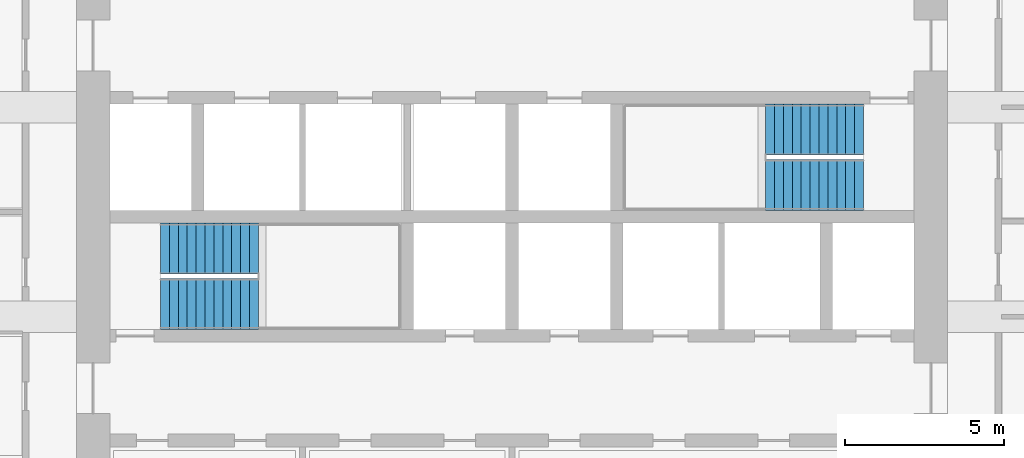
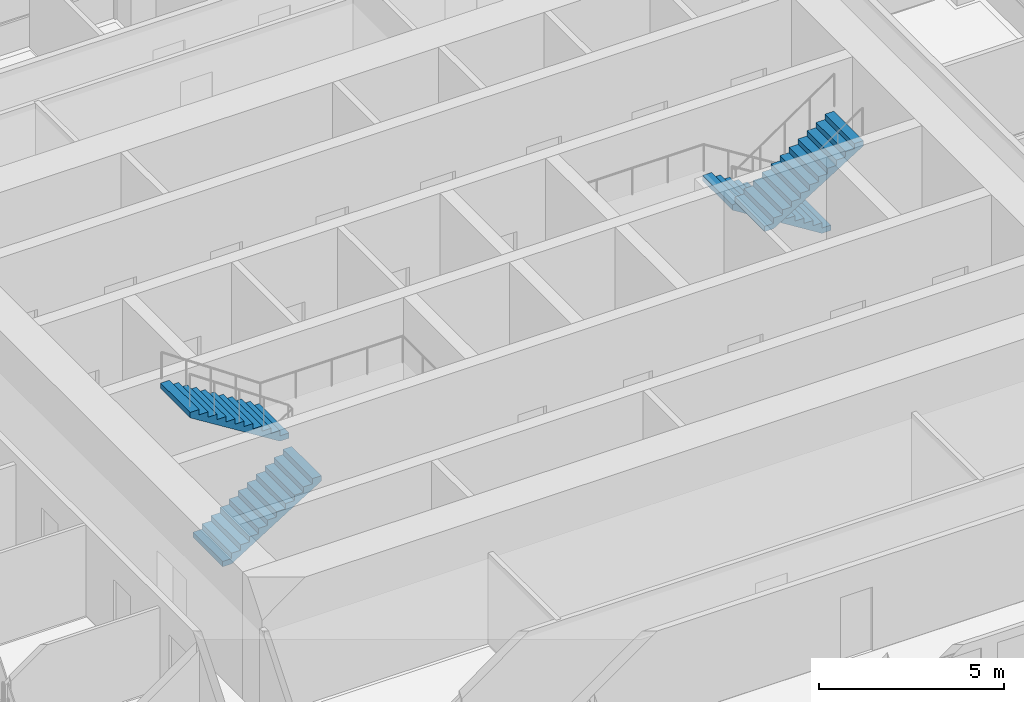
# One storey, part 17 of 21: 4 stair flights, 2 elements without a shape of their own.
"""IFC4 building model written with IfcOpenShell, lengths in metres."""

import ifcopenshell
import ifcopenshell.guid

model = None  # the IFC model being written
_history = None  # IfcOwnerHistory: only IFC2X3 demands one
_inside = {}  # id of a spatial element -> (the spatial element, [elements in it])
_under = {}  # id of a project, library or spatial element -> (it, [spatial elements below it])
_declared = {}  # id of a project -> (the project, [libraries it declares])
_typed = {}  # id of a type object -> (the type object, [elements of that type])
_made_of = {}  # id of a material, layer set ... -> (it, [elements and type objects made of it])


def new_model(schema):
    """Start an empty IFC model of exactly this schema.

    Asked for "IFC4X3", IfcOpenShell would pick the latest addendum, in which some entities
    have other attributes; the version numbers below select the first issue.
    IFC2X3 requires an IfcOwnerHistory on every rooted entity: one is made here for all.
    """
    global model, _history
    if schema == "IFC4X3":
        model = ifcopenshell.file(schema_version=(4, 3, 0, 0))
    else:
        model = ifcopenshell.file(schema=schema)
    _inside.clear()
    _under.clear()
    _declared.clear()
    _typed.clear()
    _made_of.clear()
    _history = None
    if model.schema == "IFC2X3":
        org = make("IfcOrganization", Name="unknown")
        user = make(
            "IfcPersonAndOrganization",
            ThePerson=make("IfcPerson", FamilyName="unknown"),
            TheOrganization=org,
        )
        app = make(
            "IfcApplication",
            ApplicationDeveloper=org,
            Version="unknown",
            ApplicationFullName="unknown",
            ApplicationIdentifier="unknown",
        )
        _history = make(
            "IfcOwnerHistory",
            OwningUser=user,
            OwningApplication=app,
            ChangeAction="ADDED",
            CreationDate=0,
        )
    return model


def make(cls, **values):
    """One entity of the class cls with the attributes given. An attribute that is None is left unset."""
    return model.create_entity(
        cls, **{name: value for name, value in values.items() if value is not None}
    )


def rooted(cls, **values):
    """An entity with a GlobalId (a new one), such as an element, a storey or a relation."""
    return make(cls, GlobalId=ifcopenshell.guid.new(), OwnerHistory=_history, **values)


def si_unit(unit_type, name, prefix=None):
    """IfcSIUnit, for example si_unit("LENGTHUNIT", "METRE", prefix="MILLI")."""
    return make("IfcSIUnit", UnitType=unit_type, Prefix=prefix, Name=name)


def assignment(units):
    """IfcUnitAssignment: the units of a project."""
    return None if units is None else make("IfcUnitAssignment", Units=units)


def point(xyz):
    """IfcCartesianPoint."""
    return None if xyz is None else make("IfcCartesianPoint", Coordinates=xyz)


def direction(xyz):
    """IfcDirection."""
    return None if xyz is None else make("IfcDirection", DirectionRatios=xyz)


def frame(location, z_axis=None, x_axis=None):
    """IfcAxis2Placement3D, a coordinate frame: its origin and axes. An axis left out is left unset."""
    return make(
        "IfcAxis2Placement3D",
        Location=point(location),
        Axis=direction(z_axis),
        RefDirection=direction(x_axis),
    )


def origin():
    """The frame at (0, 0, 0) with its axes left unset."""
    return frame((0.0, 0.0, 0.0))


def place(relative_to, where):
    """IfcLocalPlacement: puts the frame where relative to a parent placement (None: the world)."""
    return make(
        "IfcLocalPlacement", PlacementRelTo=relative_to, RelativePlacement=where
    )


def context(
    kind, dimensions, precision=None, world=None, true_north=None, identifier=None
):
    """IfcGeometricRepresentationContext, for example the 3D "Model" context."""
    return make(
        "IfcGeometricRepresentationContext",
        ContextIdentifier=identifier,
        ContextType=kind,
        CoordinateSpaceDimension=dimensions,
        Precision=precision,
        WorldCoordinateSystem=world,
        TrueNorth=true_north,
    )


def subcontext(parent, identifier, kind, view, scale=None):
    """IfcGeometricRepresentationSubContext, for example "Body" below "Model"."""
    return make(
        "IfcGeometricRepresentationSubContext",
        ContextIdentifier=identifier,
        ContextType=kind,
        ParentContext=parent,
        TargetScale=scale,
        TargetView=view,
    )


def project(units=None, contexts=None):
    """IfcProject with its units and contexts."""
    return rooted(
        "IfcProject",
        Name="project",
        RepresentationContexts=contexts,
        UnitsInContext=assignment(units),
    )


def spatial(cls, under=None, at=None, **own):
    """A site, building, storey or space (cls), placed at a placement, below another one or the project."""
    s = rooted(cls, ObjectPlacement=at, **own)
    if under is not None:
        _under.setdefault(under.id(), (under, []))[1].append(s)
    return s


def polyline(points):
    """IfcPolyline through the points."""
    return make("IfcPolyline", Points=[point(p) for p in points])


def outline(outer, holes=None, kind="AREA"):
    """IfcArbitraryClosedProfileDef: a profile drawn as a closed curve; with holes, ...WithVoids."""
    if holes is None:
        return make("IfcArbitraryClosedProfileDef", ProfileType=kind, OuterCurve=outer)
    return make(
        "IfcArbitraryProfileDefWithVoids",
        ProfileType=kind,
        OuterCurve=outer,
        InnerCurves=holes,
    )


def extrude(swept, where, along, depth):
    """IfcExtrudedAreaSolid: the profile swept, set in the frame where, extruded along a direction by depth."""
    return make(
        "IfcExtrudedAreaSolid",
        SweptArea=swept,
        Position=where,
        ExtrudedDirection=direction(along),
        Depth=depth,
    )


def shape(context_of_items, identifier, shape_type, items):
    """IfcShapeRepresentation: the items that make up one representation, for example the "Body"."""
    return make(
        "IfcShapeRepresentation",
        ContextOfItems=context_of_items,
        RepresentationIdentifier=identifier,
        RepresentationType=shape_type,
        Items=items,
    )


def material(Name=None, Category=None):
    """IfcMaterial."""
    return make("IfcMaterial", Name=Name, Category=Category)


def made_of(thing, what):
    """Note that an element or type object is made of a material, layer set ...; save() writes the relation."""
    if what is not None:
        _made_of.setdefault(what.id(), (what, []))[1].append(thing)
    return thing


def type_object(cls, material=None, **own):
    """A type object (cls), such as IfcWallType, which elements share."""
    return made_of(rooted(cls, **own), material)


def element(
    cls,
    number,
    at=None,
    inside=None,
    cuts=None,
    type_object=None,
    material=None,
    context=None,
    identifier="Body",
    shape_type=None,
    held_by="IfcProductDefinitionShape",
    body=None,
    shapes=None,
    **own,
):
    """One element of the class cls, such as IfcWall. Its Tag is "e" and its number.

    at: its placement. inside: the storey or other place that contains it. cuts: it is an
    opening in that element (IfcRelVoidsElement). A single representation is given by context,
    identifier, shape_type and body (its items); several are given by shapes. held_by: the class
    of the entity that holds the representations. save() writes the other relations.
    """
    e = rooted(cls, Tag="e%d" % number, ObjectPlacement=at, **own)
    if body is not None:
        shapes = [shape(context, identifier, shape_type, body)]
    if shapes is not None:
        e.Representation = make(held_by, Representations=shapes)
    if inside is not None:
        _inside.setdefault(inside.id(), (inside, []))[1].append(e)
    if cuts is not None:
        rooted(
            "IfcRelVoidsElement", RelatingBuildingElement=cuts, RelatedOpeningElement=e
        )
    if type_object is not None:
        _typed.setdefault(type_object.id(), (type_object, []))[1].append(e)
    return made_of(e, material)


def aggregate(whole, parts):
    """IfcRelAggregates: a whole, such as a stair, and the parts it consists of."""
    return rooted("IfcRelAggregates", RelatingObject=whole, RelatedObjects=parts)


def save(model, path):
    """Write the relations noted so far, then the file.

    IfcRelAggregates (storeys below a building ...), IfcRelContainedInSpatialStructure (elements
    in a storey), IfcRelDefinesByType, IfcRelAssociatesMaterial and IfcRelDeclares: one each for
    every whole, place, type object, material and project.
    """
    for whole, parts in _under.values():
        aggregate(whole, parts)
    for where, things in _inside.values():
        rooted(
            "IfcRelContainedInSpatialStructure",
            RelatedElements=things,
            RelatingStructure=where,
        )
    for kind, things in _typed.values():
        rooted("IfcRelDefinesByType", RelatedObjects=things, RelatingType=kind)
    for what, things in _made_of.values():
        rooted("IfcRelAssociatesMaterial", RelatedObjects=things, RelatingMaterial=what)
    for by, libraries in _declared.values():
        rooted("IfcRelDeclares", RelatingContext=by, RelatedDefinitions=libraries)
    model.write(path)


model = new_model("IFC4")

# Units and contexts
model_context = context("Model", 3, precision=1e-05, world=origin(), true_north=direction((0.0, 1.0)))
body_context = subcontext(model_context, "Body", "Model", "MODEL_VIEW")
ifc_project = project(units=[si_unit("LENGTHUNIT", "METRE"), si_unit("AREAUNIT", "SQUARE_METRE"), si_unit("VOLUMEUNIT", "CUBIC_METRE"), si_unit("PLANEANGLEUNIT", "RADIAN"), si_unit("MASSUNIT", "GRAM", prefix="KILO")], contexts=[model_context])

# Site, building, storey
site_placement = place(None, origin())
site = spatial("IfcSite", under=ifc_project, at=site_placement, CompositionType="ELEMENT")
building_placement = place(site_placement, origin())
building = spatial("IfcBuilding", under=site, at=building_placement, Name="Cobogo Forest Laboratory Tower", CompositionType="ELEMENT")
storey_placement = place(building_placement, frame((0.0, 0.0, 241.800048828125)))
storey = spatial("IfcBuildingStorey", under=building, at=storey_placement, Name="L55", CompositionType="ELEMENT", Elevation=241.800048828125)

# Stair, stair flights
ifc_material = material(Name="Precast concrete HA-40 (C40/50)", Category="concrete")
stair_type = type_object("IfcStairType", Name="ST24 exit stair 24 risers", PredefinedType="HALF_TURN_STAIR", material=ifc_material)
stair_1_placement = place(storey_placement, origin())
stair_1 = element("IfcStair", 1, at=stair_1_placement, inside=storey, type_object=stair_type, Name="Stair 1 L55 to L56", PredefinedType="HALF_TURN_STAIR")
stair_flight_type = type_object("IfcStairFlightType", Name="ST stair flight 280 going", PredefinedType="STRAIGHT", material=ifc_material)
stair_flight_1_placement = place(storey_placement, frame((15.324951171875, 20.199951171875, 0.0), z_axis=(0.0, 0.0, 1.0), x_axis=(1.0, 0.0, 0.0)))
stair_flight_1 = element("IfcStairFlight", 2, at=stair_flight_1_placement, type_object=stair_flight_type, Name="ST1 flight 1", NumberOfRisers=12, NumberOfTreads=11, PredefinedType="STRAIGHT", RiserHeight=0.175, TreadLength=0.28, context=body_context, shape_type="SweptSolid", body=[
    extrude(outline(polyline([(0.0, 0.0), (0.0, 0.175048828125), (0.280029296875, 0.175048828125), (0.280029296875, 0.35009765625), (0.56005859375, 0.35009765625), (0.56005859375, 0.52490234375), (0.840087890625, 0.52490234375), (0.840087890625, 0.699951171875), (1.1201171875, 0.699951171875), (1.1201171875, 0.875), (1.39990234375, 0.875), (1.39990234375, 1.050048828125), (1.679931640625, 1.050048828125), (1.679931640625, 1.22509765625), (1.9599609375, 1.22509765625), (1.9599609375, 1.39990234375), (2.239990234375, 1.39990234375), (2.239990234375, 1.574951171875), (2.52001953125, 1.574951171875), (2.52001953125, 1.75), (2.800048828125, 1.75), (2.800048828125, 1.925048828125), (3.080078125, 1.925048828125), (3.080078125, 2.10009765625), (3.080078125, 1.748291015625), (0.28271484375, 0.0), (0.0, 0.0)])), frame((0.0, 0.800048828125, 0.0), z_axis=(0.0, -1.0, 0.0), x_axis=(1.0, 0.0, 0.0)), (0.0, 0.0, 1.0), 1.60009765625),
])
stair_flight_2_placement = place(storey_placement, frame((18.405029296875, 21.949951171875, 2.099853515625), z_axis=(0.0, 0.0, 1.0), x_axis=(-1.0, 0.0, 0.0)))
stair_flight_2 = element("IfcStairFlight", 3, at=stair_flight_2_placement, type_object=stair_flight_type, Name="ST1 flight 2", NumberOfRisers=12, NumberOfTreads=11, PredefinedType="STRAIGHT", RiserHeight=0.175, TreadLength=0.28, context=body_context, shape_type="SweptSolid", body=[
    extrude(outline(polyline([(0.0, 0.0), (0.0, 0.175048828125), (0.280029296875, 0.175048828125), (0.280029296875, 0.35009765625), (0.56005859375, 0.35009765625), (0.56005859375, 0.52490234375), (0.840087890625, 0.52490234375), (0.840087890625, 0.699951171875), (1.1201171875, 0.699951171875), (1.1201171875, 0.875), (1.39990234375, 0.875), (1.39990234375, 1.050048828125), (1.679931640625, 1.050048828125), (1.679931640625, 1.22509765625), (1.9599609375, 1.22509765625), (1.9599609375, 1.39990234375), (2.239990234375, 1.39990234375), (2.239990234375, 1.574951171875), (2.52001953125, 1.574951171875), (2.52001953125, 1.75), (2.800048828125, 1.75), (2.800048828125, 1.925048828125), (3.080078125, 1.925048828125), (3.080078125, 2.10009765625), (3.080078125, 1.748291015625), (0.28271484375, 0.0), (0.0, 0.0)])), frame((0.0, 0.800048828125, 0.0), z_axis=(0.0, -1.0, 0.0), x_axis=(1.0, 0.0, 0.0)), (0.0, 0.0, 1.0), 1.60009765625),
])
aggregate(stair_1, [stair_flight_1, stair_flight_2])

stair_2_placement = place(storey_placement, origin())
stair_2 = element("IfcStair", 4, at=stair_2_placement, inside=storey, type_object=stair_type, Name="Stair 2 L55 to L56", PredefinedType="HALF_TURN_STAIR")
stair_flight_3_placement = place(storey_placement, frame((37.47509765625, 25.699951171875, 0.0), z_axis=(0.0, 0.0, 1.0), x_axis=(-1.0, 0.0, 0.0)))
stair_flight_3 = element("IfcStairFlight", 5, at=stair_flight_3_placement, type_object=stair_flight_type, Name="ST2 flight 1", NumberOfRisers=12, NumberOfTreads=11, PredefinedType="STRAIGHT", RiserHeight=0.175, TreadLength=0.28, context=body_context, shape_type="SweptSolid", body=[
    extrude(outline(polyline([(0.0, 0.0), (0.0, 0.175048828125), (0.280029296875, 0.175048828125), (0.280029296875, 0.35009765625), (0.56005859375, 0.35009765625), (0.56005859375, 0.52490234375), (0.840087890625, 0.52490234375), (0.840087890625, 0.699951171875), (1.1201171875, 0.699951171875), (1.1201171875, 0.875), (1.39990234375, 0.875), (1.39990234375, 1.050048828125), (1.679931640625, 1.050048828125), (1.679931640625, 1.22509765625), (1.9599609375, 1.22509765625), (1.9599609375, 1.39990234375), (2.239990234375, 1.39990234375), (2.239990234375, 1.574951171875), (2.52001953125, 1.574951171875), (2.52001953125, 1.75), (2.800048828125, 1.75), (2.800048828125, 1.925048828125), (3.080078125, 1.925048828125), (3.080078125, 2.10009765625), (3.080078125, 1.748291015625), (0.28271484375, 0.0), (0.0, 0.0)])), frame((0.0, 0.800048828125, 0.0), z_axis=(0.0, -1.0, 0.0), x_axis=(1.0, 0.0, 0.0)), (0.0, 0.0, 1.0), 1.60009765625),
])
stair_flight_4_placement = place(storey_placement, frame((34.39501953125, 23.949951171875, 2.099853515625), z_axis=(0.0, 0.0, 1.0), x_axis=(1.0, 0.0, 0.0)))
stair_flight_4 = element("IfcStairFlight", 6, at=stair_flight_4_placement, type_object=stair_flight_type, Name="ST2 flight 2", NumberOfRisers=12, NumberOfTreads=11, PredefinedType="STRAIGHT", RiserHeight=0.175, TreadLength=0.28, context=body_context, shape_type="SweptSolid", body=[
    extrude(outline(polyline([(0.0, 0.0), (0.0, 0.175048828125), (0.280029296875, 0.175048828125), (0.280029296875, 0.35009765625), (0.56005859375, 0.35009765625), (0.56005859375, 0.52490234375), (0.840087890625, 0.52490234375), (0.840087890625, 0.699951171875), (1.1201171875, 0.699951171875), (1.1201171875, 0.875), (1.39990234375, 0.875), (1.39990234375, 1.050048828125), (1.679931640625, 1.050048828125), (1.679931640625, 1.22509765625), (1.9599609375, 1.22509765625), (1.9599609375, 1.39990234375), (2.239990234375, 1.39990234375), (2.239990234375, 1.574951171875), (2.52001953125, 1.574951171875), (2.52001953125, 1.75), (2.800048828125, 1.75), (2.800048828125, 1.925048828125), (3.080078125, 1.925048828125), (3.080078125, 2.10009765625), (3.080078125, 1.748291015625), (0.28271484375, 0.0), (0.0, 0.0)])), frame((0.0, 0.800048828125, 0.0), z_axis=(0.0, -1.0, 0.0), x_axis=(1.0, 0.0, 0.0)), (0.0, 0.0, 1.0), 1.60009765625),
])
aggregate(stair_2, [stair_flight_3, stair_flight_4])

save(model, "model.ifc")
